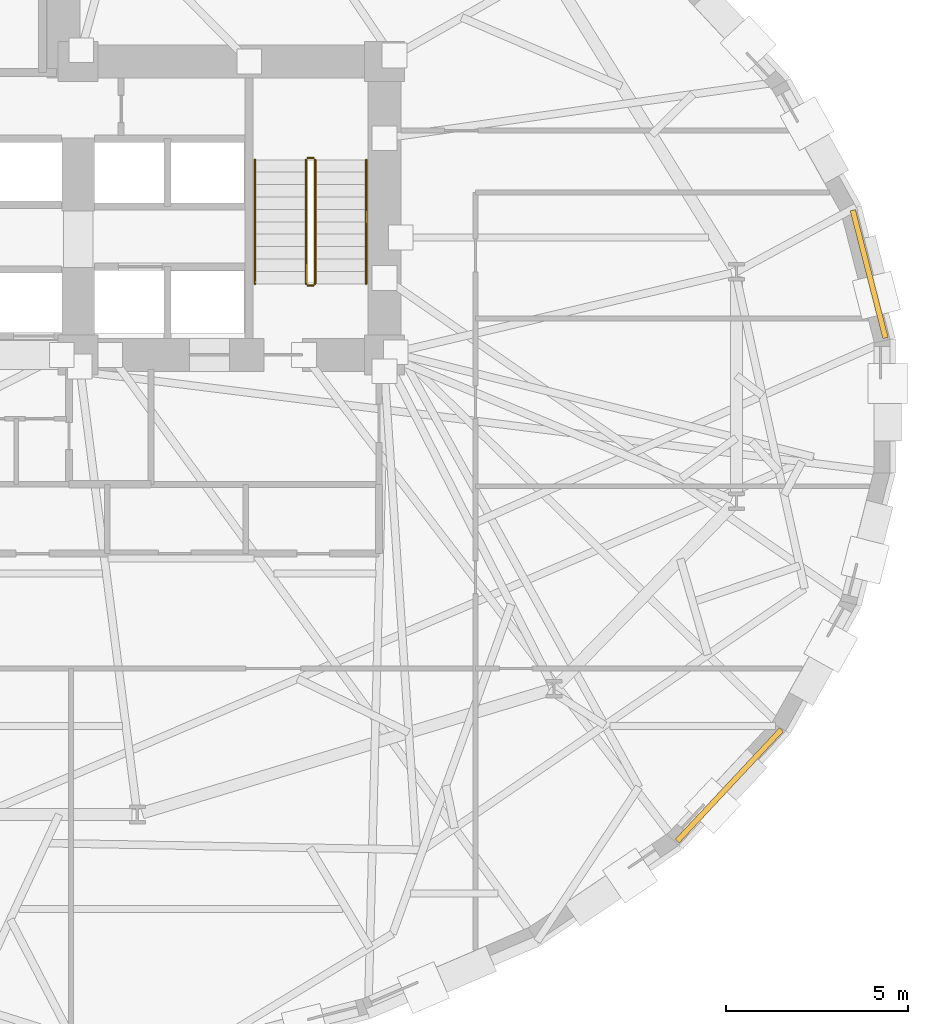
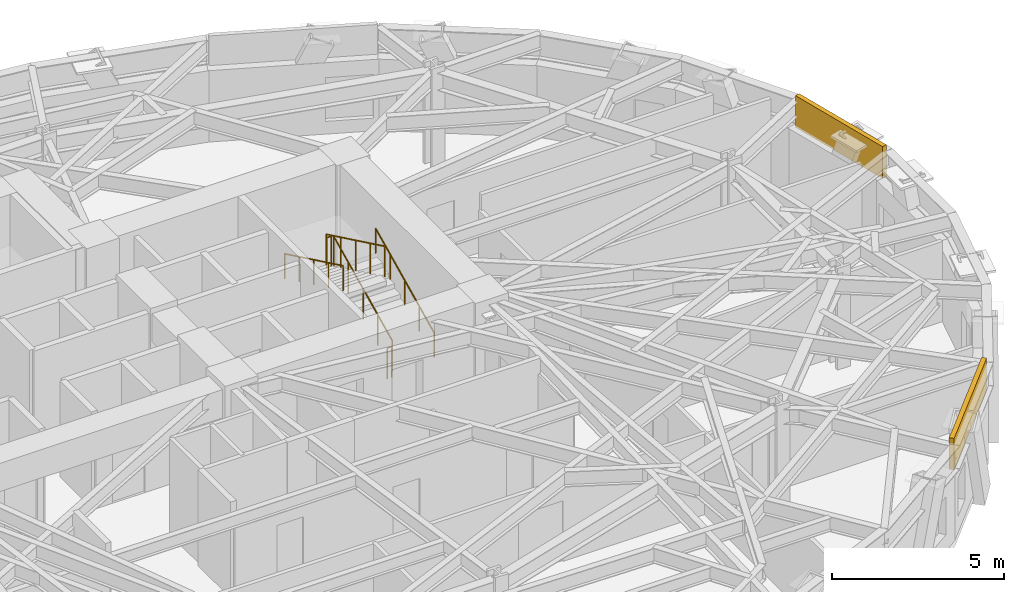
# One storey, part 13 of 14: 6 railings, 2 coverings.
"""IFC4 building model written with IfcOpenShell, lengths in metres."""

from ifc_helpers import new_model, si_unit, direction, frame, origin, origin_2d, place, context, subcontext, project, spatial, rectangle, circle, extrude, material, layer, layer_set, type_object, element, save


model = new_model("IFC4")

# Units and contexts
model_context = context("Model", 3, precision=1e-05, world=origin(), true_north=direction((0.0, 1.0)))
body_context = subcontext(model_context, "Body", "Model", "MODEL_VIEW")
ifc_project = project(units=[si_unit("LENGTHUNIT", "METRE"), si_unit("AREAUNIT", "SQUARE_METRE"), si_unit("VOLUMEUNIT", "CUBIC_METRE"), si_unit("PLANEANGLEUNIT", "RADIAN"), si_unit("MASSUNIT", "GRAM", prefix="KILO")], contexts=[model_context])

# Site, building, storey
site_placement = place(None, origin())
site = spatial("IfcSite", under=ifc_project, at=site_placement, CompositionType="ELEMENT")
building_placement = place(site_placement, origin())
building = spatial("IfcBuilding", under=site, at=building_placement, Name="Keldmark Tower", CompositionType="ELEMENT")
storey_placement = place(building_placement, frame((0.0, 0.0, 41.39990234375)))
storey = spatial("IfcBuildingStorey", under=building, at=storey_placement, Name="L10", CompositionType="ELEMENT", Elevation=41.39990234375)

# Coverings
ifc_material_1 = material(Name="Honed Kasota Buff Dolomitic Limestone", Category="masonry")
ifc_layer = layer(ifc_material_1, 0.074951171875)
ifc_layer_set = layer_set([ifc_layer], Name="Honed Kasota Buff Dolomitic Limestone")
covering_type = type_object("IfcCoveringType", Name="Kasota Buff Limestone Spandrel Cladding Band", PredefinedType="CLADDING", material=ifc_layer_set)
covering_1_placement = place(storey_placement, frame((26.8955078125, 3.61669921875, 2.453125), z_axis=(0.0, 0.0, 1.0), x_axis=(-0.248098167018, 0.96873489641, 0.0)))
element("IfcCovering", 1, at=covering_1_placement, inside=storey, type_object=covering_type, Name="L10 Kasota Limestone Spandrel Band 01", PredefinedType="CLADDING", context=body_context, shape_type="SweptSolid", body=[
    extrude(rectangle(XDim=3.618896484375, YDim=0.14990234375, at=origin_2d()), origin(), (0.0, 0.0, 1.0), 1.126953125),
])
covering_2_placement = place(storey_placement, frame((23.060302734375, -10.407470703125, 2.453125), z_axis=(0.0, 0.0, 1.0), x_axis=(0.683006109341, 0.730412660489, 0.0)))
element("IfcCovering", 2, at=covering_2_placement, inside=storey, type_object=covering_type, Name="L10 Kasota Limestone Spandrel Band 29", PredefinedType="CLADDING", context=body_context, shape_type="SweptSolid", body=[
    extrude(rectangle(XDim=4.177978515625, YDim=0.14990234375, at=origin_2d()), origin(), (0.0, 0.0, 1.0), 1.126953125),
])

# Railings
ifc_material_2 = material(Name="Painted Steel ASTM A500 Grade B", Category="steel")
railing_type_1 = type_object("IfcRailingType", Name="Painted Steel Stair Well Guard 1100 mm", PredefinedType="GUARDRAIL", material=ifc_material_2)
railing_1_placement = place(storey_placement, frame((11.699951171875, 3.35009765625, 0.163818359375)))
element("IfcRailing", 3, at=railing_1_placement, inside=storey, type_object=railing_type_1, Name="L10 ST2 stair guard 1", PredefinedType="GUARDRAIL", context=body_context, shape_type="SweptSolid", body=[
    extrude(circle(Radius=0.02392578125, at=origin_2d()), frame((0.0, 0.0, 1.076171875), z_axis=(0.0, 0.901080338394, 0.433652192153), x_axis=(-1.0, 0.0, 0.0)), (0.0, 0.0, 1.0), 3.773193359375),
    extrude(circle(Radius=0.02099609375, at=origin_2d()), origin(), (0.0, 0.0, 1.0), 1.052001953125),
    extrude(circle(Radius=0.02099609375, at=origin_2d()), frame((0.0, 0.85009765625, 0.4091796875)), (0.0, 0.0, 1.0), 1.052001953125),
    extrude(circle(Radius=0.02099609375, at=origin_2d()), frame((0.0, 1.699951171875, 0.818115234375)), (0.0, 0.0, 1.0), 1.052001953125),
    extrude(circle(Radius=0.02099609375, at=origin_2d()), frame((0.0, 2.5498046875, 1.22705078125)), (0.0, 0.0, 1.0), 1.052001953125),
    extrude(circle(Radius=0.02099609375, at=origin_2d()), frame((0.0, 3.39990234375, 1.63623046875)), (0.0, 0.0, 1.0), 1.052001953125),
])
railing_2_placement = place(storey_placement, frame((11.64990234375, 6.800048828125, 1.800048828125)))
element("IfcRailing", 4, at=railing_2_placement, inside=storey, type_object=railing_type_1, Name="L10 ST2 stair guard 2", PredefinedType="GUARDRAIL", context=body_context, shape_type="SweptSolid", body=[
    extrude(circle(Radius=0.02392578125, at=origin_2d()), frame((0.0, 0.0, 1.076171875), z_axis=(-1.0, 0.0, 0.0), x_axis=(0.0, -1.0, 0.0)), (0.0, 0.0, 1.0), 0.14990234375),
    extrude(circle(Radius=0.02099609375, at=origin_2d()), origin(), (0.0, 0.0, 1.0), 1.052001953125),
    extrude(circle(Radius=0.02099609375, at=origin_2d()), frame((-0.14990234375, 0.0, 0.0)), (0.0, 0.0, 1.0), 1.052001953125),
])
railing_3_placement = place(storey_placement, frame((11.449951171875, 6.75, 1.963623046875)))
element("IfcRailing", 5, at=railing_3_placement, inside=storey, type_object=railing_type_1, Name="L10 ST2 stair guard 3", PredefinedType="GUARDRAIL", context=body_context, shape_type="SweptSolid", body=[
    extrude(circle(Radius=0.02392578125, at=origin_2d()), frame((0.0, 0.0, 1.076171875), z_axis=(0.0, -0.901055053782, 0.433704726806), x_axis=(1.0, 0.0, 0.0)), (0.0, 0.0, 1.0), 3.773193359375),
    extrude(circle(Radius=0.02099609375, at=origin_2d()), origin(), (0.0, 0.0, 1.0), 1.052001953125),
    extrude(circle(Radius=0.02099609375, at=origin_2d()), frame((0.0, -0.85009765625, 0.4091796875)), (0.0, 0.0, 1.0), 1.052001953125),
    extrude(circle(Radius=0.02099609375, at=origin_2d()), frame((0.0, -1.699951171875, 0.818359375)), (0.0, 0.0, 1.0), 1.052001953125),
    extrude(circle(Radius=0.02099609375, at=origin_2d()), frame((0.0, -2.5498046875, 1.227294921875)), (0.0, 0.0, 1.0), 1.052001953125),
    extrude(circle(Radius=0.02099609375, at=origin_2d()), frame((0.0, -3.39990234375, 1.636474609375)), (0.0, 0.0, 1.0), 1.052001953125),
])
railing_4_placement = place(storey_placement, frame((11.64990234375, 3.300048828125, 0.0)))
element("IfcRailing", 6, at=railing_4_placement, inside=storey, type_object=railing_type_1, Name="L10 ST2 stair guard 4", PredefinedType="GUARDRAIL", context=body_context, shape_type="SweptSolid", body=[
    extrude(circle(Radius=0.02392578125, at=origin_2d()), frame((0.0, 0.0, 1.076171875), z_axis=(-1.0, 0.0, 0.0), x_axis=(0.0, -1.0, 0.0)), (0.0, 0.0, 1.0), 0.14990234375),
    extrude(circle(Radius=0.02099609375, at=origin_2d()), origin(), (0.0, 0.0, 1.0), 1.052001953125),
    extrude(circle(Radius=0.02099609375, at=origin_2d()), frame((-0.14990234375, 0.0, 0.0)), (0.0, 0.0, 1.0), 1.052001953125),
])
ifc_material_3 = material(Name="Stainless Steel AISI 316L", Category="steel")
railing_type_2 = type_object("IfcRailingType", Name="Stainless Steel Stair Handrail 900 mm", PredefinedType="HANDRAIL", material=ifc_material_3)
railing_5_placement = place(storey_placement, frame((13.10009765625, 3.35009765625, 0.163818359375)))
element("IfcRailing", 7, at=railing_5_placement, inside=storey, type_object=railing_type_2, Name="L10 ST2 stair handrail 1", PredefinedType="HANDRAIL", context=body_context, shape_type="SweptSolid", body=[
    extrude(circle(Radius=0.02392578125, at=origin_2d()), frame((0.0, 0.0, 0.8759765625), z_axis=(0.0, 0.901080338394, 0.433652192153), x_axis=(-1.0, 0.0, 0.0)), (0.0, 0.0, 1.0), 3.773193359375),
    extrude(circle(Radius=0.02099609375, at=origin_2d()), origin(), (0.0, 0.0, 1.0), 0.851806640625),
    extrude(circle(Radius=0.02099609375, at=origin_2d()), frame((0.0, 0.85009765625, 0.4091796875)), (0.0, 0.0, 1.0), 0.851806640625),
    extrude(circle(Radius=0.02099609375, at=origin_2d()), frame((0.0, 1.699951171875, 0.818115234375)), (0.0, 0.0, 1.0), 0.851806640625),
    extrude(circle(Radius=0.02099609375, at=origin_2d()), frame((0.0, 2.5498046875, 1.22705078125)), (0.0, 0.0, 1.0), 0.851806640625),
    extrude(circle(Radius=0.02099609375, at=origin_2d()), frame((0.0, 3.39990234375, 1.63623046875)), (0.0, 0.0, 1.0), 0.851806640625),
])
railing_6_placement = place(storey_placement, frame((10.050048828125, 6.75, 1.963623046875)))
element("IfcRailing", 8, at=railing_6_placement, inside=storey, type_object=railing_type_2, Name="L10 ST2 stair handrail 2", PredefinedType="HANDRAIL", context=body_context, shape_type="SweptSolid", body=[
    extrude(circle(Radius=0.02392578125, at=origin_2d()), frame((0.0, 0.0, 0.8759765625), z_axis=(0.0, -0.901055053782, 0.433704726806), x_axis=(1.0, 0.0, 0.0)), (0.0, 0.0, 1.0), 3.773193359375),
    extrude(circle(Radius=0.02099609375, at=origin_2d()), origin(), (0.0, 0.0, 1.0), 0.851806640625),
    extrude(circle(Radius=0.02099609375, at=origin_2d()), frame((0.0, -0.85009765625, 0.4091796875)), (0.0, 0.0, 1.0), 0.851806640625),
    extrude(circle(Radius=0.02099609375, at=origin_2d()), frame((0.0, -1.699951171875, 0.818359375)), (0.0, 0.0, 1.0), 0.851806640625),
    extrude(circle(Radius=0.02099609375, at=origin_2d()), frame((0.0, -2.5498046875, 1.227294921875)), (0.0, 0.0, 1.0), 0.851806640625),
    extrude(circle(Radius=0.02099609375, at=origin_2d()), frame((0.0, -3.39990234375, 1.636474609375)), (0.0, 0.0, 1.0), 0.851806640625),
])

save(model, "model.ifc")
